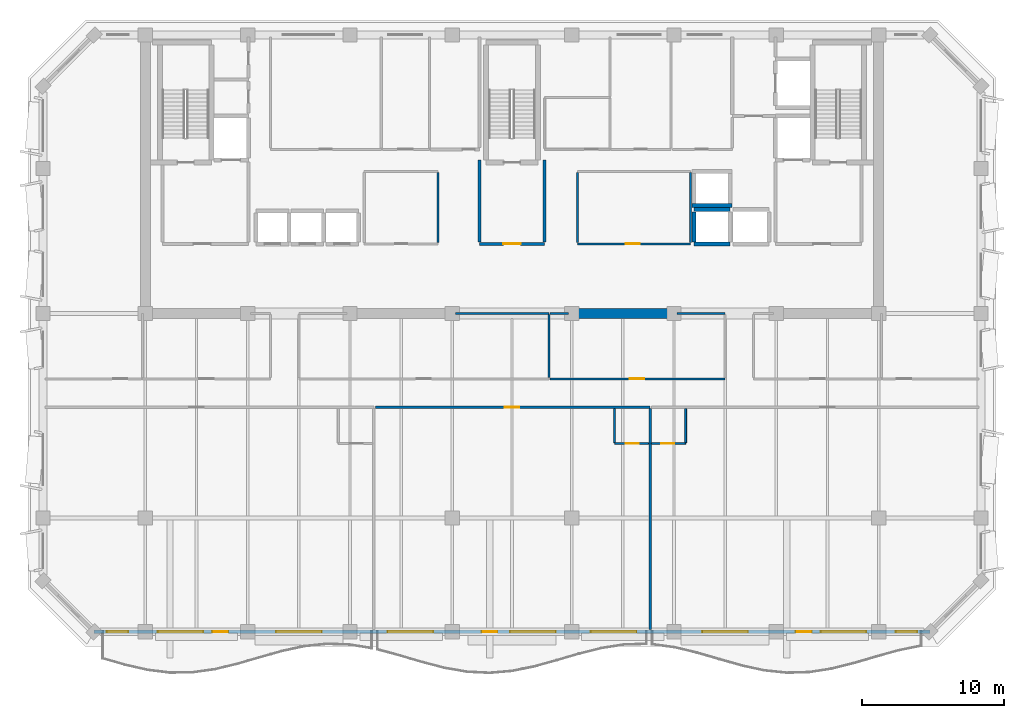
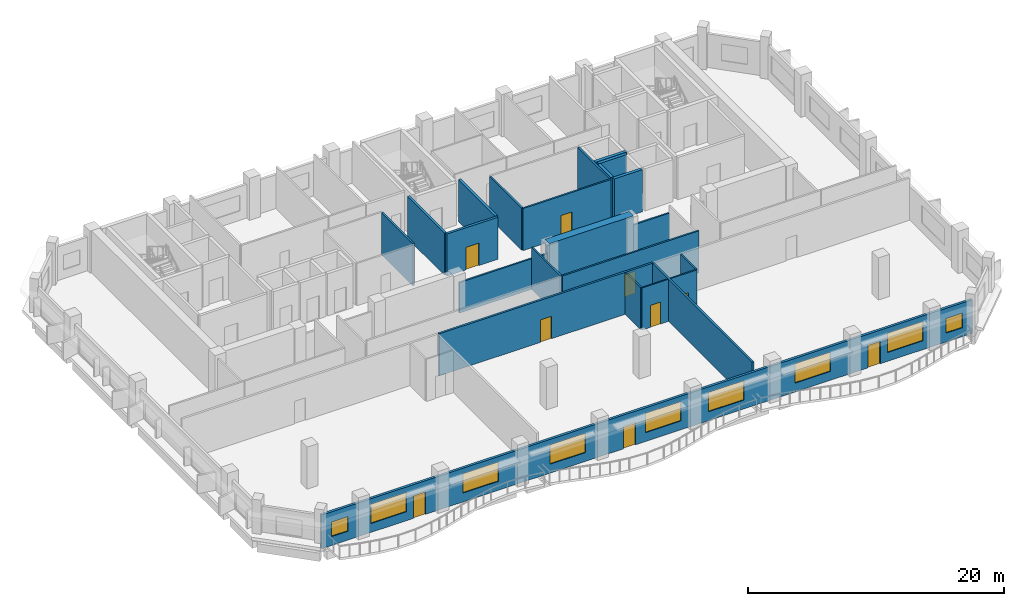
# One storey, part 4 of 10: 24 walls, 9 doors, 9 windows, 18 openings.
"""IFC4 building model written with IfcOpenShell, lengths in metres."""

from ifc_helpers import new_model, si_unit, direction, frame, frame_2d, origin, place, context, subcontext, project, spatial, rectangle, extrude, material, layer, layer_set, type_object, element, fill, save


model = new_model("IFC4")

# Units and contexts
model_context = context("Model", 3, precision=1e-05, world=origin(), true_north=direction((0.0, 1.0)))
body_context = subcontext(model_context, "Body", "Model", "MODEL_VIEW")
ifc_project = project(units=[si_unit("LENGTHUNIT", "METRE"), si_unit("AREAUNIT", "SQUARE_METRE"), si_unit("VOLUMEUNIT", "CUBIC_METRE"), si_unit("PLANEANGLEUNIT", "RADIAN"), si_unit("MASSUNIT", "GRAM", prefix="KILO")], contexts=[model_context])

# Site, building, storey
site_placement = place(None, origin())
site = spatial("IfcSite", under=ifc_project, at=site_placement, CompositionType="ELEMENT")
building_placement = place(site_placement, origin())
building = spatial("IfcBuilding", under=site, at=building_placement, Name="Kaelvorn Grand Hotel", CompositionType="ELEMENT")
storey_placement = place(building_placement, frame((0.0, 0.0, 290.300048828125)))
storey = spatial("IfcBuildingStorey", under=building, at=storey_placement, Name="L71", CompositionType="ELEMENT", Elevation=290.300048828125)

# Wall
ifc_material_1 = material(Name="Concrete C50/60", Category="concrete")
ifc_layer_1 = layer(ifc_material_1, 0.699951171875)
ifc_layer_set_1 = layer_set([ifc_layer_1], Name="Concrete C50/60")
wall_type_1 = type_object("IfcWallType", Name="WL-CORE-700-C50", PredefinedType="SHEAR", material=ifc_layer_set_1)
wall_1_placement = place(storey_placement, frame((46.0, 29.39990234375, 0.0), z_axis=(0.0, 0.0, 1.0), x_axis=(1.0, 0.0, 0.0)))
element("IfcWall", 1, at=wall_1_placement, inside=storey, type_object=wall_type_1, Name="L71 Rear-Core Coupled Shear Pier S3", PredefinedType="SHEAR", context=body_context, shape_type="SweptSolid", body=[
    extrude(rectangle(XDim=7.60009765625, YDim=0.699951171875, at=frame_2d((3.800048828125, 0.0))), origin(), (0.0, 0.0, 1.0), 4.02001953125),
])

# Wall, openings, doors, windows
ifc_material_2 = material(Name="Concrete C40/50", Category="concrete")
ifc_layer_2 = layer(ifc_material_2, 0.219970703125)
ifc_layer_set_2 = layer_set([ifc_layer_2], Name="Concrete C40/50")
wall_type_2 = type_object("IfcWallType", Name="WL-EXT-220-C40", PredefinedType="SOLIDWALL", material=ifc_layer_set_2)
wall_2_placement = place(storey_placement, frame((12.60009765625, 7.0, 0.0), z_axis=(0.0, 0.0, 1.0), x_axis=(1.0, 0.0, 0.0)))
wall_2 = element("IfcWall", 2, at=wall_2_placement, inside=storey, type_object=wall_type_2, Name="L71 Exterior Architectural Concrete Wall 01", PredefinedType="SOLIDWALL", context=body_context, shape_type="SweptSolid", body=[
    extrude(rectangle(XDim=58.7998046875, YDim=0.219970703125, at=frame_2d((29.39990234375, 0.0))), origin(), (0.0, 0.0, 1.0), 3.219970703125),
])
opening_1_placement = place(wall_2_placement, frame((8.316650390625, 0.0, 0.0)))
opening_1 = element("IfcOpeningElement", 3, at=opening_1_placement, cuts=wall_2, Name="Opening DE2", PredefinedType="OPENING", context=body_context, shape_type="SweptSolid", body=[
    extrude(rectangle(XDim=1.10009765625, YDim=2.14990234375, at=frame_2d((0.550048828125, 1.074951171875))), frame((0.0, 0.1201171875, 0.0), z_axis=(0.0, -1.0, 0.0), x_axis=(1.0, 0.0, 0.0)), (0.0, 0.0, 1.0), 0.239990234375),
])
opening_2_placement = place(wall_2_placement, frame((27.272216796875, 0.0, 0.0)))
opening_2 = element("IfcOpeningElement", 4, at=opening_2_placement, cuts=wall_2, Name="Opening DE2", PredefinedType="OPENING", context=body_context, shape_type="SweptSolid", body=[
    extrude(rectangle(XDim=1.10009765625, YDim=2.14990234375, at=frame_2d((0.550048828125, 1.074951171875))), frame((0.0, 0.1201171875, 0.0), z_axis=(0.0, -1.0, 0.0), x_axis=(1.0, 0.0, 0.0)), (0.0, 0.0, 1.0), 0.239990234375),
])
opening_3_placement = place(wall_2_placement, frame((49.38330078125, 0.0, 0.0)))
opening_3 = element("IfcOpeningElement", 5, at=opening_3_placement, cuts=wall_2, Name="Opening DE2", PredefinedType="OPENING", context=body_context, shape_type="SweptSolid", body=[
    extrude(rectangle(XDim=1.10009765625, YDim=2.14990234375, at=frame_2d((0.550048828125, 1.074951171875))), frame((0.0, 0.1201171875, 0.0), z_axis=(0.0, -1.0, 0.0), x_axis=(1.0, 0.0, 0.0)), (0.0, 0.0, 1.0), 0.239990234375),
])
opening_4_placement = place(wall_2_placement, frame((0.885009765625, 0.0, 0.85009765625)))
opening_4 = element("IfcOpeningElement", 6, at=opening_4_placement, cuts=wall_2, Name="Opening W10", PredefinedType="OPENING", context=body_context, shape_type="SweptSolid", body=[
    extrude(rectangle(XDim=1.5, YDim=1.39990234375, at=frame_2d((0.75, 0.699951171875))), frame((0.0, 0.1201171875, 0.0), z_axis=(0.0, -1.0, 0.0), x_axis=(1.0, 0.0, 0.0)), (0.0, 0.0, 1.0), 0.239990234375),
])
opening_5_placement = place(wall_2_placement, frame((4.473388671875, 0.0, 0.85009765625)))
opening_5 = element("IfcOpeningElement", 7, at=opening_5_placement, cuts=wall_2, Name="Opening W4", PredefinedType="OPENING", context=body_context, shape_type="SweptSolid", body=[
    extrude(rectangle(XDim=3.199951171875, YDim=1.85009765625, at=frame_2d((1.60009765625, 0.925048828125))), frame((0.0, 0.1201171875, 0.0), z_axis=(0.0, -1.0, 0.0), x_axis=(1.0, 0.0, 0.0)), (0.0, 0.0, 1.0), 0.239990234375),
])
opening_6_placement = place(wall_2_placement, frame((12.800048828125, 0.0, 0.85009765625)))
opening_6 = element("IfcOpeningElement", 8, at=opening_6_placement, cuts=wall_2, Name="Opening W4", PredefinedType="OPENING", context=body_context, shape_type="SweptSolid", body=[
    extrude(rectangle(XDim=3.199951171875, YDim=1.85009765625, at=frame_2d((1.60009765625, 0.925048828125))), frame((0.0, 0.1201171875, 0.0), z_axis=(0.0, -1.0, 0.0), x_axis=(1.0, 0.0, 0.0)), (0.0, 0.0, 1.0), 0.239990234375),
])
opening_7_placement = place(wall_2_placement, frame((20.6416015625, 0.0, 0.85009765625)))
opening_7 = element("IfcOpeningElement", 9, at=opening_7_placement, cuts=wall_2, Name="Opening W4", PredefinedType="OPENING", context=body_context, shape_type="SweptSolid", body=[
    extrude(rectangle(XDim=3.199951171875, YDim=1.85009765625, at=frame_2d((1.60009765625, 0.925048828125))), frame((0.0, 0.1201171875, 0.0), z_axis=(0.0, -1.0, 0.0), x_axis=(1.0, 0.0, 0.0)), (0.0, 0.0, 1.0), 0.239990234375),
])
opening_8_placement = place(wall_2_placement, frame((29.27099609375, 0.0, 0.85009765625)))
opening_8 = element("IfcOpeningElement", 10, at=opening_8_placement, cuts=wall_2, Name="Opening W4", PredefinedType="OPENING", context=body_context, shape_type="SweptSolid", body=[
    extrude(rectangle(XDim=3.199951171875, YDim=1.85009765625, at=frame_2d((1.60009765625, 0.925048828125))), frame((0.0, 0.1201171875, 0.0), z_axis=(0.0, -1.0, 0.0), x_axis=(1.0, 0.0, 0.0)), (0.0, 0.0, 1.0), 0.239990234375),
])
opening_9_placement = place(wall_2_placement, frame((34.95849609375, 0.0, 0.85009765625)))
opening_9 = element("IfcOpeningElement", 11, at=opening_9_placement, cuts=wall_2, Name="Opening W4", PredefinedType="OPENING", context=body_context, shape_type="SweptSolid", body=[
    extrude(rectangle(XDim=3.199951171875, YDim=1.85009765625, at=frame_2d((1.60009765625, 0.925048828125))), frame((0.0, 0.1201171875, 0.0), z_axis=(0.0, -1.0, 0.0), x_axis=(1.0, 0.0, 0.0)), (0.0, 0.0, 1.0), 0.239990234375),
])
opening_10_placement = place(wall_2_placement, frame((42.800048828125, 0.0, 0.85009765625)))
opening_10 = element("IfcOpeningElement", 12, at=opening_10_placement, cuts=wall_2, Name="Opening W4", PredefinedType="OPENING", context=body_context, shape_type="SweptSolid", body=[
    extrude(rectangle(XDim=3.199951171875, YDim=1.85009765625, at=frame_2d((1.60009765625, 0.925048828125))), frame((0.0, 0.1201171875, 0.0), z_axis=(0.0, -1.0, 0.0), x_axis=(1.0, 0.0, 0.0)), (0.0, 0.0, 1.0), 0.239990234375),
])
opening_11_placement = place(wall_2_placement, frame((51.126708984375, 0.0, 0.85009765625)))
opening_11 = element("IfcOpeningElement", 13, at=opening_11_placement, cuts=wall_2, Name="Opening W4", PredefinedType="OPENING", context=body_context, shape_type="SweptSolid", body=[
    extrude(rectangle(XDim=3.199951171875, YDim=1.85009765625, at=frame_2d((1.60009765625, 0.925048828125))), frame((0.0, 0.1201171875, 0.0), z_axis=(0.0, -1.0, 0.0), x_axis=(1.0, 0.0, 0.0)), (0.0, 0.0, 1.0), 0.239990234375),
])
opening_12_placement = place(wall_2_placement, frame((56.4150390625, 0.0, 0.85009765625)))
opening_12 = element("IfcOpeningElement", 14, at=opening_12_placement, cuts=wall_2, Name="Opening W10", PredefinedType="OPENING", context=body_context, shape_type="SweptSolid", body=[
    extrude(rectangle(XDim=1.5, YDim=1.39990234375, at=frame_2d((0.75, 0.699951171875))), frame((0.0, 0.1201171875, 0.0), z_axis=(0.0, -1.0, 0.0), x_axis=(1.0, 0.0, 0.0)), (0.0, 0.0, 1.0), 0.239990234375),
])
ifc_material_3 = material(Name="Anodised Aluminium", Category="aluminium")
door_type_1 = type_object("IfcDoorType", Name="DR-EXT-BALC-1100x2150", OperationType="NOTDEFINED", PredefinedType="DOOR", material=ifc_material_3)
door_1_placement = place(opening_1_placement, origin())
door_1 = element("IfcDoor", 15, at=door_1_placement, inside=storey, type_object=door_type_1, Name="L71 Scalloped Balcony Glazed Door DE2-1", OperationType="SINGLE_SWING_LEFT", OverallHeight=2.14990234375, OverallWidth=1.10009765625, PredefinedType="DOOR", context=body_context, shape_type="SweptSolid", body=[
    extrude(rectangle(XDim=1.10009765625, YDim=2.14990234375, at=frame_2d((0.550048828125, 1.074951171875))), frame((0.0, 0.02490234375, 0.0), z_axis=(0.0, -1.0, 0.0), x_axis=(1.0, 0.0, 0.0)), (0.0, 0.0, 1.0), 0.050048828125),
])
fill(opening_1, door_1)
door_2_placement = place(opening_2_placement, origin())
door_2 = element("IfcDoor", 16, at=door_2_placement, inside=storey, type_object=door_type_1, Name="L71 Scalloped Balcony Glazed Door DE2-2", OperationType="SINGLE_SWING_RIGHT", OverallHeight=2.14990234375, OverallWidth=1.10009765625, PredefinedType="DOOR", context=body_context, shape_type="SweptSolid", body=[
    extrude(rectangle(XDim=1.10009765625, YDim=2.14990234375, at=frame_2d((0.550048828125, 1.074951171875))), frame((0.0, 0.02490234375, 0.0), z_axis=(0.0, -1.0, 0.0), x_axis=(1.0, 0.0, 0.0)), (0.0, 0.0, 1.0), 0.050048828125),
])
fill(opening_2, door_2)
door_3_placement = place(opening_3_placement, origin())
door_3 = element("IfcDoor", 17, at=door_3_placement, inside=storey, type_object=door_type_1, Name="L71 Scalloped Balcony Glazed Door DE2-3", OperationType="SINGLE_SWING_LEFT", OverallHeight=2.14990234375, OverallWidth=1.10009765625, PredefinedType="DOOR", context=body_context, shape_type="SweptSolid", body=[
    extrude(rectangle(XDim=1.10009765625, YDim=2.14990234375, at=frame_2d((0.550048828125, 1.074951171875))), frame((0.0, 0.02490234375, 0.0), z_axis=(0.0, -1.0, 0.0), x_axis=(1.0, 0.0, 0.0)), (0.0, 0.0, 1.0), 0.050048828125),
])
fill(opening_3, door_3)
ifc_material_4 = material(Name="Laminated Low-E Glass", Category="glass")
window_type_1 = type_object("IfcWindowType", Name="WIN-COR-1500x1400", PartitioningType="SINGLE_PANEL", PredefinedType="WINDOW", material=ifc_material_4)
window_1_placement = place(opening_4_placement, origin())
window_1 = element("IfcWindow", 18, at=window_1_placement, inside=storey, type_object=window_type_1, Name="L71 South Guestroom Ribbon Window SR01", OverallHeight=1.39990234375, OverallWidth=1.5, PartitioningType="SINGLE_PANEL", PredefinedType="WINDOW", context=body_context, shape_type="SweptSolid", body=[
    extrude(rectangle(XDim=1.5, YDim=1.39990234375, at=frame_2d((0.75, 0.699951171875))), frame((0.0, 0.030029296875, 0.0), z_axis=(0.0, -1.0, 0.0), x_axis=(1.0, 0.0, 0.0)), (0.0, 0.0, 1.0), 0.06005859375),
])
fill(opening_4, window_1)
window_2_placement = place(opening_12_placement, origin())
window_2 = element("IfcWindow", 19, at=window_2_placement, inside=storey, type_object=window_type_1, Name="L71 South Guestroom Ribbon Window SR09", OverallHeight=1.39990234375, OverallWidth=1.5, PartitioningType="SINGLE_PANEL", PredefinedType="WINDOW", context=body_context, shape_type="SweptSolid", body=[
    extrude(rectangle(XDim=1.5, YDim=1.39990234375, at=frame_2d((0.75, 0.699951171875))), frame((0.0, 0.030029296875, 0.0), z_axis=(0.0, -1.0, 0.0), x_axis=(1.0, 0.0, 0.0)), (0.0, 0.0, 1.0), 0.06005859375),
])
fill(opening_12, window_2)
window_type_2 = type_object("IfcWindowType", Name="WIN-RIB-3200x1850", PartitioningType="SINGLE_PANEL", PredefinedType="WINDOW", material=ifc_material_4)
window_3_placement = place(opening_5_placement, origin())
window_3 = element("IfcWindow", 20, at=window_3_placement, inside=storey, type_object=window_type_2, Name="L71 South Guestroom Ribbon Window SR02", OverallHeight=1.85009765625, OverallWidth=3.199951171875, PartitioningType="SINGLE_PANEL", PredefinedType="WINDOW", context=body_context, shape_type="SweptSolid", body=[
    extrude(rectangle(XDim=3.199951171875, YDim=1.85009765625, at=frame_2d((1.60009765625, 0.925048828125))), frame((0.0, 0.030029296875, 0.0), z_axis=(0.0, -1.0, 0.0), x_axis=(1.0, 0.0, 0.0)), (0.0, 0.0, 1.0), 0.06005859375),
])
fill(opening_5, window_3)
window_4_placement = place(opening_6_placement, origin())
window_4 = element("IfcWindow", 21, at=window_4_placement, inside=storey, type_object=window_type_2, Name="L71 South Guestroom Ribbon Window SR03", OverallHeight=1.85009765625, OverallWidth=3.199951171875, PartitioningType="SINGLE_PANEL", PredefinedType="WINDOW", context=body_context, shape_type="SweptSolid", body=[
    extrude(rectangle(XDim=3.199951171875, YDim=1.85009765625, at=frame_2d((1.60009765625, 0.925048828125))), frame((0.0, 0.030029296875, 0.0), z_axis=(0.0, -1.0, 0.0), x_axis=(1.0, 0.0, 0.0)), (0.0, 0.0, 1.0), 0.06005859375),
])
fill(opening_6, window_4)
window_5_placement = place(opening_7_placement, origin())
window_5 = element("IfcWindow", 22, at=window_5_placement, inside=storey, type_object=window_type_2, Name="L71 South Guestroom Ribbon Window SR04", OverallHeight=1.85009765625, OverallWidth=3.199951171875, PartitioningType="SINGLE_PANEL", PredefinedType="WINDOW", context=body_context, shape_type="SweptSolid", body=[
    extrude(rectangle(XDim=3.199951171875, YDim=1.85009765625, at=frame_2d((1.60009765625, 0.925048828125))), frame((0.0, 0.030029296875, 0.0), z_axis=(0.0, -1.0, 0.0), x_axis=(1.0, 0.0, 0.0)), (0.0, 0.0, 1.0), 0.06005859375),
])
fill(opening_7, window_5)
window_6_placement = place(opening_8_placement, origin())
window_6 = element("IfcWindow", 23, at=window_6_placement, inside=storey, type_object=window_type_2, Name="L71 South Guestroom Ribbon Window SR05", OverallHeight=1.85009765625, OverallWidth=3.199951171875, PartitioningType="SINGLE_PANEL", PredefinedType="WINDOW", context=body_context, shape_type="SweptSolid", body=[
    extrude(rectangle(XDim=3.199951171875, YDim=1.85009765625, at=frame_2d((1.60009765625, 0.925048828125))), frame((0.0, 0.030029296875, 0.0), z_axis=(0.0, -1.0, 0.0), x_axis=(1.0, 0.0, 0.0)), (0.0, 0.0, 1.0), 0.06005859375),
])
fill(opening_8, window_6)
window_7_placement = place(opening_9_placement, origin())
window_7 = element("IfcWindow", 24, at=window_7_placement, inside=storey, type_object=window_type_2, Name="L71 South Guestroom Ribbon Window SR06", OverallHeight=1.85009765625, OverallWidth=3.199951171875, PartitioningType="SINGLE_PANEL", PredefinedType="WINDOW", context=body_context, shape_type="SweptSolid", body=[
    extrude(rectangle(XDim=3.199951171875, YDim=1.85009765625, at=frame_2d((1.60009765625, 0.925048828125))), frame((0.0, 0.030029296875, 0.0), z_axis=(0.0, -1.0, 0.0), x_axis=(1.0, 0.0, 0.0)), (0.0, 0.0, 1.0), 0.06005859375),
])
fill(opening_9, window_7)
window_8_placement = place(opening_10_placement, origin())
window_8 = element("IfcWindow", 25, at=window_8_placement, inside=storey, type_object=window_type_2, Name="L71 South Guestroom Ribbon Window SR07", OverallHeight=1.85009765625, OverallWidth=3.199951171875, PartitioningType="SINGLE_PANEL", PredefinedType="WINDOW", context=body_context, shape_type="SweptSolid", body=[
    extrude(rectangle(XDim=3.199951171875, YDim=1.85009765625, at=frame_2d((1.60009765625, 0.925048828125))), frame((0.0, 0.030029296875, 0.0), z_axis=(0.0, -1.0, 0.0), x_axis=(1.0, 0.0, 0.0)), (0.0, 0.0, 1.0), 0.06005859375),
])
fill(opening_10, window_8)
window_9_placement = place(opening_11_placement, origin())
window_9 = element("IfcWindow", 26, at=window_9_placement, inside=storey, type_object=window_type_2, Name="L71 South Guestroom Ribbon Window SR08", OverallHeight=1.85009765625, OverallWidth=3.199951171875, PartitioningType="SINGLE_PANEL", PredefinedType="WINDOW", context=body_context, shape_type="SweptSolid", body=[
    extrude(rectangle(XDim=3.199951171875, YDim=1.85009765625, at=frame_2d((1.60009765625, 0.925048828125))), frame((0.0, 0.030029296875, 0.0), z_axis=(0.0, -1.0, 0.0), x_axis=(1.0, 0.0, 0.0)), (0.0, 0.0, 1.0), 0.06005859375),
])
fill(opening_11, window_9)

# Wall, opening, door
ifc_material_5 = material(Name="Moisture-Resistant Tile & Stud Board")
ifc_layer_3 = layer(ifc_material_5, 0.125)
ifc_layer_set_3 = layer_set([ifc_layer_3], Name="Moisture-Resistant Tile & Stud Board")
wall_type_3 = type_object("IfcWallType", Name="WL-PART-125-WET", PredefinedType="PARTITIONING", material=ifc_layer_set_3)
wall_3_placement = place(storey_placement, frame((49.216796875, 20.25, 0.0), z_axis=(0.0, 0.0, 1.0), x_axis=(1.0, 0.0, 0.0)))
wall_3 = element("IfcWall", 27, at=wall_3_placement, inside=storey, type_object=wall_type_3, Name="L71 En-suite Bathroom L71-02 S Partition", PredefinedType="PARTITIONING", context=body_context, shape_type="SweptSolid", body=[
    extrude(rectangle(XDim=2.40478515625, YDim=0.125, at=frame_2d((1.202392578125, 0.0))), origin(), (0.0, 0.0, 1.0), 4.02001953125),
])
opening_13_placement = place(wall_3_placement, frame((0.800048828125, 0.0, 0.0)))
opening_13 = element("IfcOpeningElement", 28, at=opening_13_placement, cuts=wall_3, Name="Opening DI4", PredefinedType="OPENING", context=body_context, shape_type="SweptSolid", body=[
    extrude(rectangle(XDim=0.89990234375, YDim=2.10009765625, at=frame_2d((0.449951171875, 1.050048828125))), frame((0.0, 0.072509765625, 0.0), z_axis=(0.0, -1.0, 0.0), x_axis=(1.0, 0.0, 0.0)), (0.0, 0.0, 1.0), 0.14501953125),
])
ifc_material_6 = material(Name="Timber Veneer Leaf", Category="wood")
door_type_2 = type_object("IfcDoorType", Name="DR-INT-BATH-900x2100", OperationType="NOTDEFINED", PredefinedType="DOOR", material=ifc_material_6)
door_4_placement = place(opening_13_placement, origin())
door_4 = element("IfcDoor", 29, at=door_4_placement, inside=storey, type_object=door_type_2, Name="L71 En-suite Bathroom L71-02 Door", OperationType="SINGLE_SWING_LEFT", OverallHeight=2.10009765625, OverallWidth=0.89990234375, PredefinedType="DOOR", context=body_context, shape_type="SweptSolid", body=[
    extrude(rectangle(XDim=0.89990234375, YDim=2.10009765625, at=frame_2d((0.449951171875, 1.050048828125))), frame((0.0, 0.02490234375, 0.0), z_axis=(0.0, -1.0, 0.0), x_axis=(1.0, 0.0, 0.0)), (0.0, 0.0, 1.0), 0.050048828125),
])
fill(opening_13, door_4)

# Wall
wall_4_placement = place(storey_placement, frame((49.216796875, 20.3173828125, 0.0), z_axis=(0.0, 0.0, 1.0), x_axis=(0.0, 1.0, 0.0)))
element("IfcWall", 30, at=wall_4_placement, inside=storey, type_object=wall_type_3, Name="L71 En-suite Bathroom L71-02 W Partition", PredefinedType="PARTITIONING", context=body_context, shape_type="SweptSolid", body=[
    extrude(rectangle(XDim=2.3876953125, YDim=0.125, at=frame_2d((1.19384765625, 0.0))), origin(), (0.0, 0.0, 1.0), 4.02001953125),
])

# Wall, opening, door
wall_5_placement = place(storey_placement, frame((51.811767578125, 20.25, 0.0), z_axis=(0.0, 0.0, 1.0), x_axis=(1.0, 0.0, 0.0)))
wall_5 = element("IfcWall", 31, at=wall_5_placement, inside=storey, type_object=wall_type_3, Name="L71 En-suite Bathroom L71-03 S Partition", PredefinedType="PARTITIONING", context=body_context, shape_type="SweptSolid", body=[
    extrude(rectangle(XDim=2.405029296875, YDim=0.125, at=frame_2d((1.20263671875, 0.0))), origin(), (0.0, 0.0, 1.0), 4.02001953125),
])
opening_14_placement = place(wall_5_placement, frame((0.705078125, 0.0, 0.0)))
opening_14 = element("IfcOpeningElement", 32, at=opening_14_placement, cuts=wall_5, Name="Opening DI4", PredefinedType="OPENING", context=body_context, shape_type="SweptSolid", body=[
    extrude(rectangle(XDim=0.89990234375, YDim=2.10009765625, at=frame_2d((0.449951171875, 1.050048828125))), frame((0.0, 0.072509765625, 0.0), z_axis=(0.0, -1.0, 0.0), x_axis=(1.0, 0.0, 0.0)), (0.0, 0.0, 1.0), 0.14501953125),
])
door_5_placement = place(opening_14_placement, origin())
door_5 = element("IfcDoor", 33, at=door_5_placement, inside=storey, type_object=door_type_2, Name="L71 En-suite Bathroom L71-03 Door", OperationType="SINGLE_SWING_LEFT", OverallHeight=2.10009765625, OverallWidth=0.89990234375, PredefinedType="DOOR", context=body_context, shape_type="SweptSolid", body=[
    extrude(rectangle(XDim=0.89990234375, YDim=2.10009765625, at=frame_2d((0.449951171875, 1.050048828125))), frame((0.0, 0.02490234375, 0.0), z_axis=(0.0, -1.0, 0.0), x_axis=(1.0, 0.0, 0.0)), (0.0, 0.0, 1.0), 0.050048828125),
])
fill(opening_14, door_5)

# Walls
wall_6_placement = place(storey_placement, frame((54.216796875, 20.3173828125, 0.0), z_axis=(0.0, 0.0, 1.0), x_axis=(0.0, 1.0, 0.0)))
element("IfcWall", 34, at=wall_6_placement, inside=storey, type_object=wall_type_3, Name="L71 En-suite Bathroom L71-03 E Partition", PredefinedType="PARTITIONING", context=body_context, shape_type="SweptSolid", body=[
    extrude(rectangle(XDim=2.3876953125, YDim=0.125, at=frame_2d((1.19384765625, 0.0))), origin(), (0.0, 0.0, 1.0), 4.02001953125),
])
ifc_material_7 = material(Name="Acoustic Gypsum & Stud Partition")
ifc_layer_4 = layer(ifc_material_7, 0.14990234375)
ifc_layer_set_4 = layer_set([ifc_layer_4], Name="Acoustic Gypsum & Stud Partition")
wall_type_4 = type_object("IfcWallType", Name="WL-PART-150-EI60", PredefinedType="PARTITIONING", material=ifc_layer_set_4)
wall_7_placement = place(storey_placement, frame((36.800048828125, 34.3798828125, 0.0), z_axis=(0.0, 0.0, 1.0), x_axis=(0.0, 1.0, 0.0)))
element("IfcWall", 35, at=wall_7_placement, inside=storey, type_object=wall_type_4, Name="L71 Core Telecoms & BMS Server Room E Partition", PredefinedType="PARTITIONING", context=body_context, shape_type="SweptSolid", body=[
    extrude(rectangle(XDim=4.940185546875, YDim=0.14990234375, at=frame_2d((2.47021484375, 0.0))), origin(), (0.0, 0.0, 1.0), 4.02001953125),
])

# Wall, opening, door
wall_8_placement = place(storey_placement, frame((46.60009765625, 34.300048828125, 0.0), z_axis=(0.0, 0.0, 1.0), x_axis=(1.0, 0.0, 0.0)))
wall_8 = element("IfcWall", 36, at=wall_8_placement, inside=storey, type_object=wall_type_4, Name="L71 Sky Concierge & Butler Pantry Lounge S Partition", PredefinedType="PARTITIONING", context=body_context, shape_type="SweptSolid", body=[
    extrude(rectangle(XDim=7.949951171875, YDim=0.14990234375, at=frame_2d((3.97509765625, 0.0))), origin(), (0.0, 0.0, 1.0), 4.02001953125),
])
opening_15_placement = place(wall_8_placement, frame((3.39990234375, 0.0, 0.0)))
opening_15 = element("IfcOpeningElement", 37, at=opening_15_placement, cuts=wall_8, Name="Opening DI3", PredefinedType="OPENING", context=body_context, shape_type="SweptSolid", body=[
    extrude(rectangle(XDim=1.0, YDim=2.14990234375, at=frame_2d((0.5, 1.074951171875))), frame((0.0, 0.0849609375, 0.0), z_axis=(0.0, -1.0, 0.0), x_axis=(1.0, 0.0, 0.0)), (0.0, 0.0, 1.0), 0.169921875),
])
ifc_material_8 = material(Name="Timber Veneer Fire Leaf", Category="wood")
door_type_3 = type_object("IfcDoorType", Name="DR-INT-GUEST-1000x2150", OperationType="NOTDEFINED", PredefinedType="DOOR", material=ifc_material_8)
door_6_placement = place(opening_15_placement, origin())
door_6 = element("IfcDoor", 38, at=door_6_placement, inside=storey, type_object=door_type_3, Name="L71 Sky Concierge & Butler Pantry Lounge Door", OperationType="SINGLE_SWING_LEFT", OverallHeight=2.14990234375, OverallWidth=1.0, PredefinedType="DOOR", context=body_context, shape_type="SweptSolid", body=[
    extrude(rectangle(XDim=1.0, YDim=2.14990234375, at=frame_2d((0.5, 1.074951171875))), frame((0.0, 0.02490234375, 0.0), z_axis=(0.0, -1.0, 0.0), x_axis=(1.0, 0.0, 0.0)), (0.0, 0.0, 1.0), 0.050048828125),
])
fill(opening_15, door_6)

# Walls
for number, where, z_axis, x_axis, name in (
    (39, (46.60009765625, 34.3798828125, 0.0), (0.0, 0.0, 1.0), (0.0, 1.0, 0.0), "L71 Sky Concierge & Butler Pantry Lounge W Partition"),
    (40, (54.550048828125, 34.3798828125, 0.0), (0.0, 0.0, 1.0), (0.0, 1.0, 0.0), "L71 Sky Concierge & Butler Pantry Lounge E Partition"),
):
    element("IfcWall", number, at=place(storey_placement, frame(where, z_axis=z_axis, x_axis=x_axis)), inside=storey, type_object=wall_type_4, Name=name, PredefinedType="PARTITIONING", context=body_context, shape_type="SweptSolid", body=[
        extrude(rectangle(XDim=4.940185546875, YDim=0.14990234375, at=frame_2d((2.47021484375, 0.0))), origin(), (0.0, 0.0, 1.0), 4.02001953125),
    ])
wall_9_placement = place(storey_placement, frame((38.010009765625, 29.39990234375, 0.0), z_axis=(0.0, 0.0, 1.0), x_axis=(1.0, 0.0, 0.0)))
element("IfcWall", 41, at=wall_9_placement, inside=storey, type_object=wall_type_4, Name="L71 Pastry & Tea Kitchen N Partition (2)", PredefinedType="PARTITIONING", context=body_context, shape_type="SweptSolid", body=[
    extrude(rectangle(XDim=6.590087890625, YDim=0.14990234375, at=frame_2d((3.294921875, 0.0))), origin(), (0.0, 0.0, 1.0), 2.919921875),
])
wall_10_placement = place(storey_placement, frame((44.60009765625, 24.8798828125, 0.0), z_axis=(0.0, 0.0, 1.0), x_axis=(0.0, 1.0, 0.0)))
element("IfcWall", 42, at=wall_10_placement, inside=storey, type_object=wall_type_4, Name="L71 Pastry & Tea Kitchen E Partition", PredefinedType="PARTITIONING", context=body_context, shape_type="SweptSolid", body=[
    extrude(rectangle(XDim=4.440185546875, YDim=0.14990234375, at=frame_2d((2.22021484375, 0.0))), origin(), (0.0, 0.0, 1.0), 4.02001953125),
])

# Wall, opening, door
wall_11_placement = place(storey_placement, frame((44.679931640625, 24.800048828125, 0.0), z_axis=(0.0, 0.0, 1.0), x_axis=(1.0, 0.0, 0.0)))
wall_11 = element("IfcWall", 43, at=wall_11_placement, inside=storey, type_object=wall_type_4, Name="L71 Family Sitting Room S Partition", PredefinedType="PARTITIONING", context=body_context, shape_type="SweptSolid", body=[
    extrude(rectangle(XDim=12.320068359375, YDim=0.14990234375, at=frame_2d((6.16015625, 0.0))), origin(), (0.0, 0.0, 1.0), 4.02001953125),
])
opening_16_placement = place(wall_11_placement, frame((5.6201171875, 0.0, 0.0)))
opening_16 = element("IfcOpeningElement", 44, at=opening_16_placement, cuts=wall_11, Name="Opening DI3", PredefinedType="OPENING", context=body_context, shape_type="SweptSolid", body=[
    extrude(rectangle(XDim=1.0, YDim=2.14990234375, at=frame_2d((0.5, 1.074951171875))), frame((0.0, 0.0849609375, 0.0), z_axis=(0.0, -1.0, 0.0), x_axis=(1.0, 0.0, 0.0)), (0.0, 0.0, 1.0), 0.169921875),
])
door_7_placement = place(opening_16_placement, origin())
door_7 = element("IfcDoor", 45, at=door_7_placement, inside=storey, type_object=door_type_3, Name="L71 Family Sitting Room Door", OperationType="SINGLE_SWING_RIGHT", OverallHeight=2.14990234375, OverallWidth=1.0, PredefinedType="DOOR", context=body_context, shape_type="SweptSolid", body=[
    extrude(rectangle(XDim=1.0, YDim=2.14990234375, at=frame_2d((0.5, 1.074951171875))), frame((0.0, 0.02490234375, 0.0), z_axis=(0.0, -1.0, 0.0), x_axis=(1.0, 0.0, 0.0)), (0.0, 0.0, 1.0), 0.050048828125),
])
fill(opening_16, door_7)

# Walls
wall_12_placement = place(storey_placement, frame((44.679931640625, 29.39990234375, 0.0), z_axis=(0.0, 0.0, 1.0), x_axis=(1.0, 0.0, 0.0)))
element("IfcWall", 46, at=wall_12_placement, inside=storey, type_object=wall_type_4, Name="L71 Family Sitting Room N Partition (1)", PredefinedType="PARTITIONING", context=body_context, shape_type="SweptSolid", body=[
    extrude(rectangle(XDim=1.31005859375, YDim=0.14990234375, at=frame_2d((0.655029296875, 0.0))), origin(), (0.0, 0.0, 1.0), 2.919921875),
])
wall_13_placement = place(storey_placement, frame((53.610107421875, 29.39990234375, 0.0), z_axis=(0.0, 0.0, 1.0), x_axis=(1.0, 0.0, 0.0)))
element("IfcWall", 47, at=wall_13_placement, inside=storey, type_object=wall_type_4, Name="L71 Family Sitting Room N Partition (2)", PredefinedType="PARTITIONING", context=body_context, shape_type="SweptSolid", body=[
    extrude(rectangle(XDim=3.389892578125, YDim=0.14990234375, at=frame_2d((1.69482421875, 0.0))), origin(), (0.0, 0.0, 1.0), 2.919921875),
])

# Wall, opening, door
ifc_layer_5 = layer(ifc_material_7, 0.179931640625)
ifc_layer_set_5 = layer_set([ifc_layer_5], Name="Acoustic Gypsum & Stud Partition")
wall_type_5 = type_object("IfcWallType", Name="WL-PART-180-EI60", PredefinedType="PARTITIONING", material=ifc_layer_set_5)
wall_14_placement = place(storey_placement, frame((32.37841796875, 22.800048828125, 0.0), z_axis=(0.0, 0.0, 1.0), x_axis=(1.0, 0.0, 0.0)))
wall_14 = element("IfcWall", 48, at=wall_14_placement, inside=storey, type_object=wall_type_5, Name="L71 Presidential Sky Suite L71-02 N Partition", PredefinedType="PARTITIONING", context=body_context, shape_type="SweptSolid", body=[
    extrude(rectangle(XDim=19.33837890625, YDim=0.179931640625, at=frame_2d((9.669189453125, 0.0))), origin(), (0.0, 0.0, 1.0), 4.02001953125),
])
opening_17_placement = place(wall_14_placement, frame((9.12158203125, 0.0, 0.0)))
opening_17 = element("IfcOpeningElement", 49, at=opening_17_placement, cuts=wall_14, Name="Opening DI3", PredefinedType="OPENING", context=body_context, shape_type="SweptSolid", body=[
    extrude(rectangle(XDim=1.0, YDim=2.14990234375, at=frame_2d((0.5, 1.074951171875))), frame((0.0, 0.10009765625, 0.0), z_axis=(0.0, -1.0, 0.0), x_axis=(1.0, 0.0, 0.0)), (0.0, 0.0, 1.0), 0.199951171875),
])
door_8_placement = place(opening_17_placement, origin())
door_8 = element("IfcDoor", 50, at=door_8_placement, inside=storey, type_object=door_type_3, Name="L71 Presidential Sky Suite L71-02 Door", OperationType="SINGLE_SWING_RIGHT", OverallHeight=2.14990234375, OverallWidth=1.0, PredefinedType="DOOR", context=body_context, shape_type="SweptSolid", body=[
    extrude(rectangle(XDim=1.0, YDim=2.14990234375, at=frame_2d((0.5, 1.074951171875))), frame((0.0, 0.02490234375, 0.0), z_axis=(0.0, -1.0, 0.0), x_axis=(1.0, 0.0, 0.0)), (0.0, 0.0, 1.0), 0.050048828125),
])
fill(opening_17, door_8)

# Wall
wall_15_placement = place(storey_placement, frame((51.716796875, 7.14990234375, 0.0), z_axis=(0.0, 0.0, 1.0), x_axis=(0.0, 1.0, 0.0)))
element("IfcWall", 51, at=wall_15_placement, inside=storey, type_object=wall_type_5, Name="L71 Presidential Sky Suite L71-02 E Partition", PredefinedType="PARTITIONING", context=body_context, shape_type="SweptSolid", body=[
    extrude(rectangle(XDim=15.55517578125, YDim=0.179931640625, at=frame_2d((7.777587890625, 0.0))), origin(), (0.0, 0.0, 1.0), 4.02001953125),
])

# Wall, opening, door
ifc_layer_6 = layer(ifc_material_2, 0.219970703125)
ifc_layer_set_6 = layer_set([ifc_layer_6], Name="Concrete C40/50")
wall_type_6 = type_object("IfcWallType", Name="WL-PART-220-EI120", PredefinedType="PARTITIONING", material=ifc_layer_set_6)
wall_16_placement = place(storey_placement, frame((39.699951171875, 34.300048828125, 0.0), z_axis=(0.0, 0.0, 1.0), x_axis=(1.0, 0.0, 0.0)))
wall_16 = element("IfcWall", 52, at=wall_16_placement, inside=storey, type_object=wall_type_6, Name="L71 Central Stair Escape Vestibule S Partition", PredefinedType="PARTITIONING", context=body_context, shape_type="SweptSolid", body=[
    extrude(rectangle(XDim=4.60009765625, YDim=0.219970703125, at=frame_2d((2.300048828125, 0.0))), origin(), (0.0, 0.0, 1.0), 4.02001953125),
])
opening_18_placement = place(wall_16_placement, frame((1.699951171875, 0.0, 0.0)))
opening_18 = element("IfcOpeningElement", 53, at=opening_18_placement, cuts=wall_16, Name="Opening DI2", PredefinedType="OPENING", context=body_context, shape_type="SweptSolid", body=[
    extrude(rectangle(XDim=1.199951171875, YDim=2.14990234375, at=frame_2d((0.60009765625, 1.074951171875))), frame((0.0, 0.1201171875, 0.0), z_axis=(0.0, -1.0, 0.0), x_axis=(1.0, 0.0, 0.0)), (0.0, 0.0, 1.0), 0.239990234375),
])
door_type_4 = type_object("IfcDoorType", Name="DR-INT-FFLOB-1200x2150", OperationType="NOTDEFINED", PredefinedType="DOOR", material=ifc_material_8)
door_9_placement = place(opening_18_placement, origin())
door_9 = element("IfcDoor", 54, at=door_9_placement, inside=storey, type_object=door_type_4, Name="L71 Central Stair Escape Vestibule Door", OperationType="SINGLE_SWING_RIGHT", OverallHeight=2.14990234375, OverallWidth=1.199951171875, PredefinedType="DOOR", context=body_context, shape_type="SweptSolid", body=[
    extrude(rectangle(XDim=1.199951171875, YDim=2.14990234375, at=frame_2d((0.60009765625, 1.074951171875))), frame((0.0, 0.02490234375, 0.0), z_axis=(0.0, -1.0, 0.0), x_axis=(1.0, 0.0, 0.0)), (0.0, 0.0, 1.0), 0.050048828125),
])
fill(opening_18, door_9)

# Walls
for number, where, z_axis, x_axis, name in (
    (55, (39.699951171875, 34.4150390625, 0.0), (0.0, 0.0, 1.0), (0.0, 1.0, 0.0), "L71 Central Stair Escape Vestibule W Partition"),
    (56, (44.300048828125, 34.4150390625, 0.0), (0.0, 0.0, 1.0), (0.0, 1.0, 0.0), "L71 Central Stair Escape Vestibule E Partition"),
):
    element("IfcWall", number, at=place(storey_placement, frame(where, z_axis=z_axis, x_axis=x_axis)), inside=storey, type_object=wall_type_6, Name=name, PredefinedType="PARTITIONING", context=body_context, shape_type="SweptSolid", body=[
        extrude(rectangle(XDim=5.784912109375, YDim=0.219970703125, at=frame_2d((2.892578125, 0.0))), origin(), (0.0, 0.0, 1.0), 4.02001953125),
    ])
ifc_layer_7 = layer(ifc_material_1, 0.280029296875)
ifc_layer_set_7 = layer_set([ifc_layer_7], Name="Concrete C50/60")
wall_type_7 = type_object("IfcWallType", Name="WL-SHAFT-280-C50", PredefinedType="SHEAR", material=ifc_layer_set_7)
for number, where, z_axis, x_axis, name in (
    (57, (54.800048828125, 34.300048828125, 0.0), (0.0, 0.0, 1.0), (1.0, 0.0, 0.0), "L71 Lift OL-1 Shaft South Wall"),
    (58, (54.800048828125, 36.699951171875, 0.0), (0.0, 0.0, 1.0), (1.0, 0.0, 0.0), "L71 Lift OL-1 Shaft North Wall"),
):
    element("IfcWall", number, at=place(storey_placement, frame(where, z_axis=z_axis, x_axis=x_axis)), inside=storey, type_object=wall_type_7, Name=name, PredefinedType="SHEAR", context=body_context, shape_type="SweptSolid", body=[
        extrude(rectangle(XDim=2.550048828125, YDim=0.280029296875, at=frame_2d((1.27490234375, 0.0))), origin(), (0.0, 0.0, 1.0), 4.02001953125),
    ])
wall_17_placement = place(storey_placement, frame((54.800048828125, 34.445068359375, 0.0), z_axis=(0.0, 0.0, 1.0), x_axis=(0.0, 1.0, 0.0)))
element("IfcWall", 59, at=wall_17_placement, inside=storey, type_object=wall_type_7, Name="L71 Lift OL-1 Shaft West Wall", PredefinedType="SHEAR", context=body_context, shape_type="SweptSolid", body=[
    extrude(rectangle(XDim=2.10986328125, YDim=0.280029296875, at=frame_2d((1.054931640625, 0.0))), origin(), (0.0, 0.0, 1.0), 4.02001953125),
])
wall_18_placement = place(storey_placement, frame((54.659912109375, 37.0, 0.0), z_axis=(0.0, 0.0, 1.0), x_axis=(1.0, 0.0, 0.0)))
element("IfcWall", 60, at=wall_18_placement, inside=storey, type_object=wall_type_7, Name="L71 Lift OL-3 Shaft South Wall", PredefinedType="SHEAR", context=body_context, shape_type="SweptSolid", body=[
    extrude(rectangle(XDim=2.830078125, YDim=0.280029296875, at=frame_2d((1.4150390625, 0.0))), origin(), (0.0, 0.0, 1.0), 4.02001953125),
])

save(model, "model.ifc")
